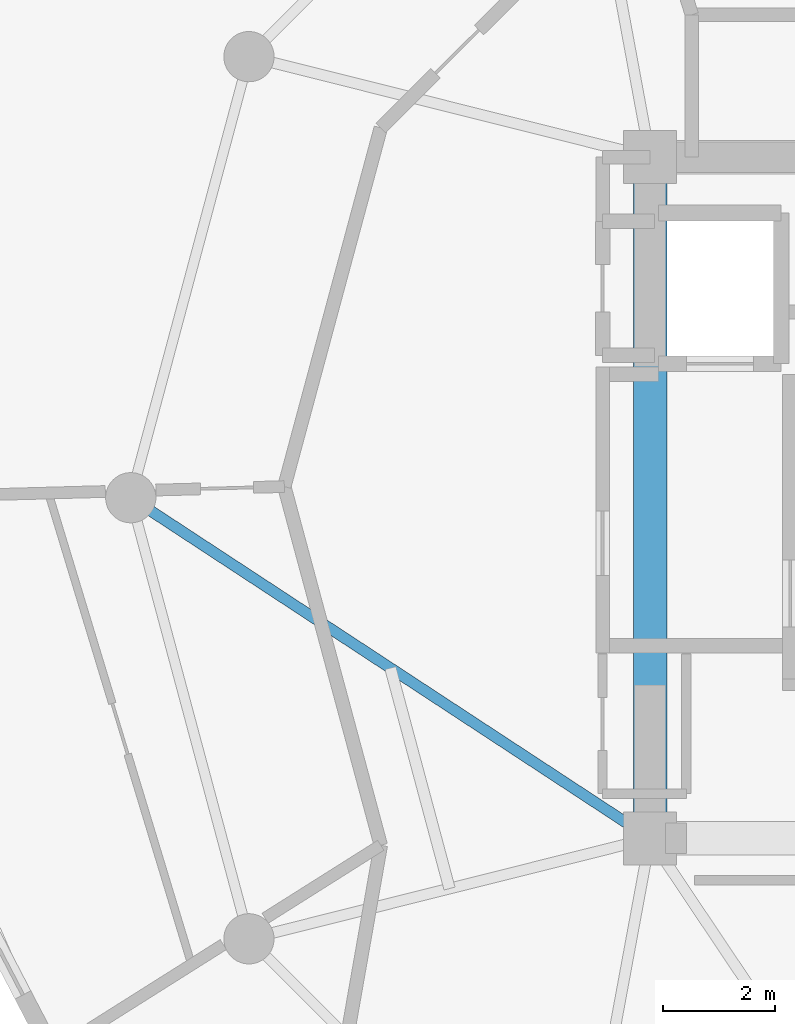
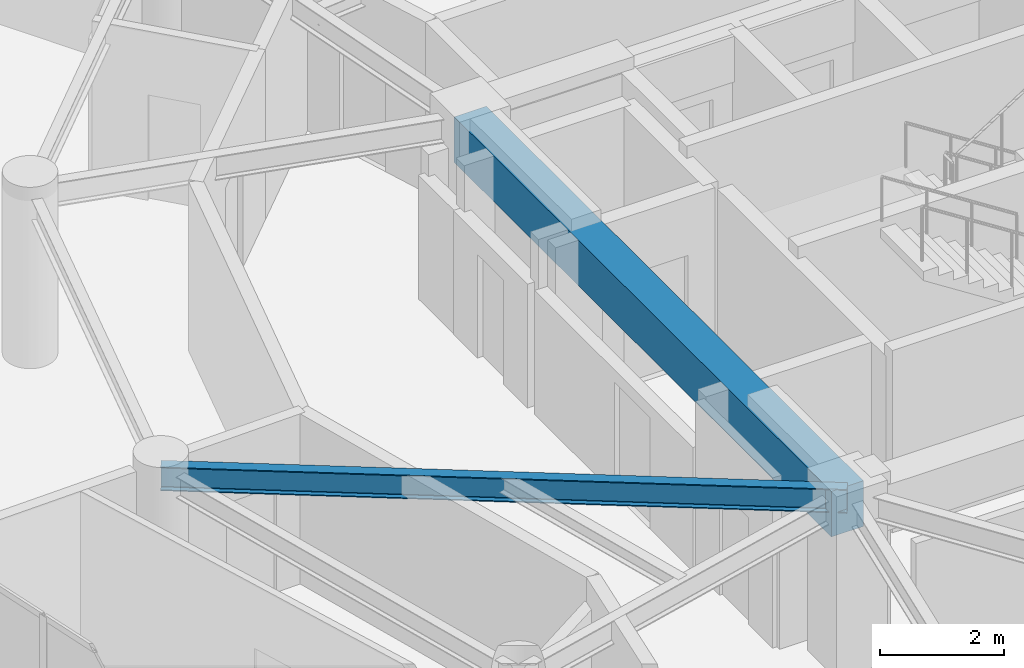
# One storey, part 8 of 21: 2 beams.
"""IFC4 building model written with IfcOpenShell, lengths in metres."""

from ifc_helpers import new_model, si_unit, direction, frame, origin, origin_2d, place, context, subcontext, project, spatial, rectangle, i_section, extrude, material, material_profile, profile_set, type_object, element, save


model = new_model("IFC4")

# Units and contexts
model_context = context("Model", 3, precision=1e-05, world=origin(), true_north=direction((0.0, 1.0)))
body_context = subcontext(model_context, "Body", "Model", "MODEL_VIEW")
ifc_project = project(units=[si_unit("LENGTHUNIT", "METRE"), si_unit("AREAUNIT", "SQUARE_METRE"), si_unit("VOLUMEUNIT", "CUBIC_METRE"), si_unit("PLANEANGLEUNIT", "RADIAN"), si_unit("MASSUNIT", "GRAM", prefix="KILO")], contexts=[model_context])

# Site, building, storey
site_placement = place(None, origin())
site = spatial("IfcSite", under=ifc_project, at=site_placement, CompositionType="ELEMENT")
building_placement = place(site_placement, origin())
building = spatial("IfcBuilding", under=site, at=building_placement, Name="Solvirekh Grand Hotel", CompositionType="ELEMENT")
storey_placement = place(building_placement, frame((0.0, 0.0, 220.0)))
storey = spatial("IfcBuildingStorey", under=building, at=storey_placement, Name="L57", CompositionType="ELEMENT", Elevation=220.0)

# Beams
ifc_material_1 = material(Name="Concrete C50/60", Category="concrete")
ifc_material_profile_1 = material_profile(ifc_material_1, rectangle(XDim=0.60009765625, YDim=0.89990234375, at=origin_2d()), Name="RC BEAM 600X900")
ifc_profile_set_1 = profile_set([ifc_material_profile_1], Name="Concrete C50/60")
beam_type_1 = type_object("IfcBeamType", Name="Beam_Core_RC900", PredefinedType="BEAM", material=ifc_profile_set_1)
beam_1_placement = place(storey_placement, frame((-6.5, 6.10009765625, 2.909912109375), z_axis=(0.0, -1.0, 0.0), x_axis=(1.0, 0.0, 0.0)))
element("IfcBeam", 1, at=beam_1_placement, inside=storey, type_object=beam_type_1, Name="L57 core coupling ring beam 4", PredefinedType="BEAM", context=body_context, shape_type="SweptSolid", body=[
    extrude(rectangle(XDim=0.60009765625, YDim=0.89990234375, at=origin_2d()), origin(), (0.0, 0.0, 1.0), 12.2001953125),
])
ifc_material_2 = material(Name="Steel S355", Category="steel")
ifc_material_profile_2 = material_profile(ifc_material_2, i_section(OverallWidth=0.194091796875, OverallDepth=0.468994140625, WebThickness=0.010986328125, FlangeThickness=0.01904296875, FilletRadius=0.012939453125, at=origin_2d()), Name="W460X106")
ifc_profile_set_2 = profile_set([ifc_material_profile_2], Name="Steel S355")
beam_type_2 = type_object("IfcBeamType", Name="Beam_Radial_W460H", PredefinedType="BEAM", material=ifc_profile_set_2)
beam_2_placement = place(storey_placement, frame((-6.5, -6.10009765625, 3.1259765625), z_axis=(-0.836174064962, 0.548464158432, 0.0), x_axis=(-0.548464158432, -0.836174064962, 0.0)))
element("IfcBeam", 2, at=beam_2_placement, inside=storey, type_object=beam_type_2, Name="L57 radial floor beam R07", PredefinedType="BEAM", context=body_context, shape_type="SweptSolid", body=[
    extrude(i_section(OverallWidth=0.194091796875, OverallDepth=0.468994140625, WebThickness=0.010986328125, FlangeThickness=0.01904296875, FilletRadius=0.012939453125, at=origin_2d()), origin(), (0.0, 0.0, 1.0), 11.1220703125),
])

save(model, "model.ifc")
